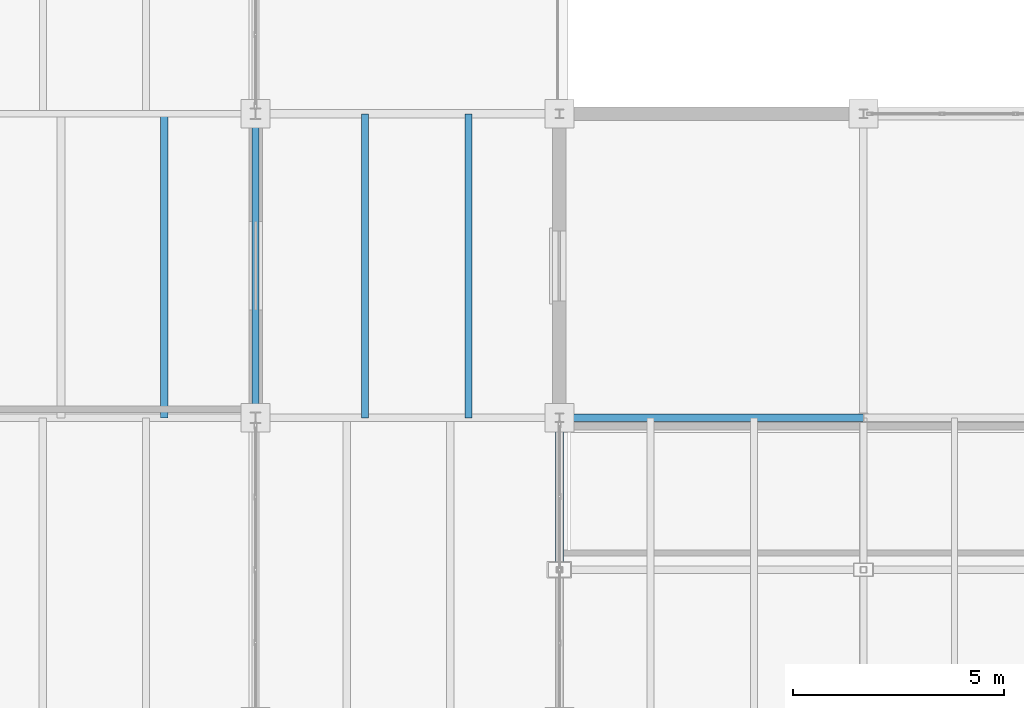
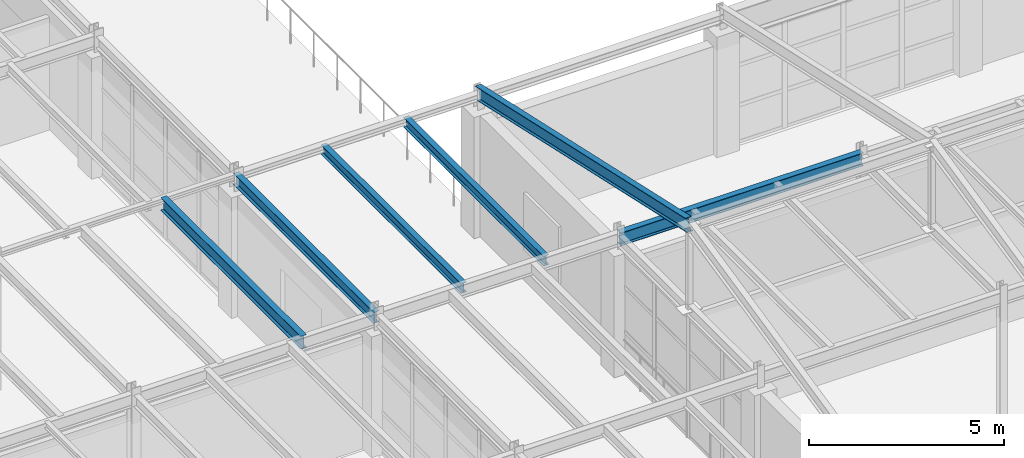
# One storey, part 33 of 101: 6 beams.
"""IFC4 building model written with IfcOpenShell, lengths in metres."""

import ifcopenshell
import ifcopenshell.guid

model = None  # the IFC model being written
_history = None  # IfcOwnerHistory: only IFC2X3 demands one
_inside = {}  # id of a spatial element -> (the spatial element, [elements in it])
_under = {}  # id of a project, library or spatial element -> (it, [spatial elements below it])
_declared = {}  # id of a project -> (the project, [libraries it declares])
_typed = {}  # id of a type object -> (the type object, [elements of that type])
_made_of = {}  # id of a material, layer set ... -> (it, [elements and type objects made of it])


def new_model(schema):
    """Start an empty IFC model of exactly this schema.

    Asked for "IFC4X3", IfcOpenShell would pick the latest addendum, in which some entities
    have other attributes; the version numbers below select the first issue.
    IFC2X3 requires an IfcOwnerHistory on every rooted entity: one is made here for all.
    """
    global model, _history
    if schema == "IFC4X3":
        model = ifcopenshell.file(schema_version=(4, 3, 0, 0))
    else:
        model = ifcopenshell.file(schema=schema)
    _inside.clear()
    _under.clear()
    _declared.clear()
    _typed.clear()
    _made_of.clear()
    _history = None
    if model.schema == "IFC2X3":
        org = make("IfcOrganization", Name="unknown")
        user = make(
            "IfcPersonAndOrganization",
            ThePerson=make("IfcPerson", FamilyName="unknown"),
            TheOrganization=org,
        )
        app = make(
            "IfcApplication",
            ApplicationDeveloper=org,
            Version="unknown",
            ApplicationFullName="unknown",
            ApplicationIdentifier="unknown",
        )
        _history = make(
            "IfcOwnerHistory",
            OwningUser=user,
            OwningApplication=app,
            ChangeAction="ADDED",
            CreationDate=0,
        )
    return model


def make(cls, **values):
    """One entity of the class cls with the attributes given. An attribute that is None is left unset."""
    return model.create_entity(
        cls, **{name: value for name, value in values.items() if value is not None}
    )


def rooted(cls, **values):
    """An entity with a GlobalId (a new one), such as an element, a storey or a relation."""
    return make(cls, GlobalId=ifcopenshell.guid.new(), OwnerHistory=_history, **values)


def si_unit(unit_type, name, prefix=None):
    """IfcSIUnit, for example si_unit("LENGTHUNIT", "METRE", prefix="MILLI")."""
    return make("IfcSIUnit", UnitType=unit_type, Prefix=prefix, Name=name)


def assignment(units):
    """IfcUnitAssignment: the units of a project."""
    return None if units is None else make("IfcUnitAssignment", Units=units)


def point(xyz):
    """IfcCartesianPoint."""
    return None if xyz is None else make("IfcCartesianPoint", Coordinates=xyz)


def direction(xyz):
    """IfcDirection."""
    return None if xyz is None else make("IfcDirection", DirectionRatios=xyz)


def frame(location, z_axis=None, x_axis=None):
    """IfcAxis2Placement3D, a coordinate frame: its origin and axes. An axis left out is left unset."""
    return make(
        "IfcAxis2Placement3D",
        Location=point(location),
        Axis=direction(z_axis),
        RefDirection=direction(x_axis),
    )


def frame_2d(location, x_axis=None):
    """IfcAxis2Placement2D, a coordinate frame in the plane: its origin and x axis."""
    return make(
        "IfcAxis2Placement2D", Location=point(location), RefDirection=direction(x_axis)
    )


def origin():
    """The frame at (0, 0, 0) with its axes left unset."""
    return frame((0.0, 0.0, 0.0))


def origin_2d():
    """The frame at (0, 0) in the plane with its x axis left unset."""
    return frame_2d((0.0, 0.0))


def place(relative_to, where):
    """IfcLocalPlacement: puts the frame where relative to a parent placement (None: the world)."""
    return make(
        "IfcLocalPlacement", PlacementRelTo=relative_to, RelativePlacement=where
    )


def context(
    kind, dimensions, precision=None, world=None, true_north=None, identifier=None
):
    """IfcGeometricRepresentationContext, for example the 3D "Model" context."""
    return make(
        "IfcGeometricRepresentationContext",
        ContextIdentifier=identifier,
        ContextType=kind,
        CoordinateSpaceDimension=dimensions,
        Precision=precision,
        WorldCoordinateSystem=world,
        TrueNorth=true_north,
    )


def subcontext(parent, identifier, kind, view, scale=None):
    """IfcGeometricRepresentationSubContext, for example "Body" below "Model"."""
    return make(
        "IfcGeometricRepresentationSubContext",
        ContextIdentifier=identifier,
        ContextType=kind,
        ParentContext=parent,
        TargetScale=scale,
        TargetView=view,
    )


def project(units=None, contexts=None):
    """IfcProject with its units and contexts."""
    return rooted(
        "IfcProject",
        Name="project",
        RepresentationContexts=contexts,
        UnitsInContext=assignment(units),
    )


def spatial(cls, under=None, at=None, **own):
    """A site, building, storey or space (cls), placed at a placement, below another one or the project."""
    s = rooted(cls, ObjectPlacement=at, **own)
    if under is not None:
        _under.setdefault(under.id(), (under, []))[1].append(s)
    return s


def profile(cls, at=None, kind="AREA", **sizes):
    """A parametric profile (cls). Its sizes go by their IFC names, for example OverallWidth=200.0."""
    return make(cls, ProfileType=kind, Position=at, **sizes)


def i_section(**sizes):
    """IfcIShapeProfileDef."""
    return profile("IfcIShapeProfileDef", **sizes)


def extrude(swept, where, along, depth):
    """IfcExtrudedAreaSolid: the profile swept, set in the frame where, extruded along a direction by depth."""
    return make(
        "IfcExtrudedAreaSolid",
        SweptArea=swept,
        Position=where,
        ExtrudedDirection=direction(along),
        Depth=depth,
    )


def shape(context_of_items, identifier, shape_type, items):
    """IfcShapeRepresentation: the items that make up one representation, for example the "Body"."""
    return make(
        "IfcShapeRepresentation",
        ContextOfItems=context_of_items,
        RepresentationIdentifier=identifier,
        RepresentationType=shape_type,
        Items=items,
    )


def material(Name=None, Category=None):
    """IfcMaterial."""
    return make("IfcMaterial", Name=Name, Category=Category)


def material_profile(
    of_material, cross_section, Name=None, Category=None, Priority=None
):
    """IfcMaterialProfile: a cross section and its material."""
    return make(
        "IfcMaterialProfile",
        Name=Name,
        Material=of_material,
        Profile=cross_section,
        Priority=Priority,
        Category=Category,
    )


def profile_set(profiles, Name=None, composite=None):
    """IfcMaterialProfileSet."""
    return make(
        "IfcMaterialProfileSet",
        Name=Name,
        MaterialProfiles=profiles,
        CompositeProfile=composite,
    )


def made_of(thing, what):
    """Note that an element or type object is made of a material, layer set ...; save() writes the relation."""
    if what is not None:
        _made_of.setdefault(what.id(), (what, []))[1].append(thing)
    return thing


def type_object(cls, material=None, **own):
    """A type object (cls), such as IfcWallType, which elements share."""
    return made_of(rooted(cls, **own), material)


def element(
    cls,
    number,
    at=None,
    inside=None,
    cuts=None,
    type_object=None,
    material=None,
    context=None,
    identifier="Body",
    shape_type=None,
    held_by="IfcProductDefinitionShape",
    body=None,
    shapes=None,
    **own,
):
    """One element of the class cls, such as IfcWall. Its Tag is "e" and its number.

    at: its placement. inside: the storey or other place that contains it. cuts: it is an
    opening in that element (IfcRelVoidsElement). A single representation is given by context,
    identifier, shape_type and body (its items); several are given by shapes. held_by: the class
    of the entity that holds the representations. save() writes the other relations.
    """
    e = rooted(cls, Tag="e%d" % number, ObjectPlacement=at, **own)
    if body is not None:
        shapes = [shape(context, identifier, shape_type, body)]
    if shapes is not None:
        e.Representation = make(held_by, Representations=shapes)
    if inside is not None:
        _inside.setdefault(inside.id(), (inside, []))[1].append(e)
    if cuts is not None:
        rooted(
            "IfcRelVoidsElement", RelatingBuildingElement=cuts, RelatedOpeningElement=e
        )
    if type_object is not None:
        _typed.setdefault(type_object.id(), (type_object, []))[1].append(e)
    return made_of(e, material)


def aggregate(whole, parts):
    """IfcRelAggregates: a whole, such as a stair, and the parts it consists of."""
    return rooted("IfcRelAggregates", RelatingObject=whole, RelatedObjects=parts)


def save(model, path):
    """Write the relations noted so far, then the file.

    IfcRelAggregates (storeys below a building ...), IfcRelContainedInSpatialStructure (elements
    in a storey), IfcRelDefinesByType, IfcRelAssociatesMaterial and IfcRelDeclares: one each for
    every whole, place, type object, material and project.
    """
    for whole, parts in _under.values():
        aggregate(whole, parts)
    for where, things in _inside.values():
        rooted(
            "IfcRelContainedInSpatialStructure",
            RelatedElements=things,
            RelatingStructure=where,
        )
    for kind, things in _typed.values():
        rooted("IfcRelDefinesByType", RelatedObjects=things, RelatingType=kind)
    for what, things in _made_of.values():
        rooted("IfcRelAssociatesMaterial", RelatedObjects=things, RelatingMaterial=what)
    for by, libraries in _declared.values():
        rooted("IfcRelDeclares", RelatingContext=by, RelatedDefinitions=libraries)
    model.write(path)


model = new_model("IFC4")

# Units and contexts
model_context = context("Model", 3, precision=1e-05, world=origin(), true_north=direction((0.0, 1.0)))
body_context = subcontext(model_context, "Body", "Model", "MODEL_VIEW")
ifc_project = project(units=[si_unit("LENGTHUNIT", "METRE"), si_unit("AREAUNIT", "SQUARE_METRE"), si_unit("VOLUMEUNIT", "CUBIC_METRE"), si_unit("PLANEANGLEUNIT", "RADIAN"), si_unit("MASSUNIT", "GRAM", prefix="KILO")], contexts=[model_context])

# Site, building, storey
site_placement = place(None, origin())
site = spatial("IfcSite", under=ifc_project, at=site_placement, CompositionType="ELEMENT")
building_placement = place(site_placement, origin())
building = spatial("IfcBuilding", under=site, at=building_placement, Name="Kemerveld Promenade Tramway Depot", CompositionType="ELEMENT")
storey_placement = place(building_placement, frame((0.0, 0.0, 9.89990234375)))
storey = spatial("IfcBuildingStorey", under=building, at=storey_placement, Name="L02", CompositionType="ELEMENT", Elevation=9.89990234375)

# Beams
ifc_material = material(Name="Steel S355", Category="steel")
ifc_material_profile_1 = material_profile(ifc_material, i_section(OverallWidth=0.1787109375, OverallDepth=0.409423828125, WebThickness=0.0087890625, FlangeThickness=0.014404296875, FilletRadius=0.01025390625, at=origin_2d()), Name="406x178x67 UB")
ifc_profile_set_1 = profile_set([ifc_material_profile_1], Name="Steel S355")
beam_type_1 = type_object("IfcBeamType", Name="BM-G07", PredefinedType="BEAM", material=ifc_profile_set_1)
beam_1_placement = place(storey_placement, frame((57.60009765625, 21.60009765625, 4.0703125), z_axis=(1.0, 0.0, 0.0), x_axis=(0.0, 1.0, 0.0)))
element("IfcBeam", 1, at=beam_1_placement, inside=storey, type_object=beam_type_1, Name="BMX-L02-09-10-D", PredefinedType="BEAM", context=body_context, shape_type="SweptSolid", body=[
    extrude(i_section(OverallWidth=0.1787109375, OverallDepth=0.409423828125, WebThickness=0.0087890625, FlangeThickness=0.014404296875, FilletRadius=0.01025390625, at=origin_2d()), origin(), (0.0, 0.0, 1.0), 7.199951171875),
])
beam_2_placement = place(storey_placement, frame((57.60009765625, 18.0, 6.67529296875), z_axis=(0.0, 0.976189137057, -0.216921111677), x_axis=(-1.0, 0.0, 0.0)))
element("IfcBeam", 2, at=beam_2_placement, inside=storey, type_object=beam_type_1, Name="RAF-V4-09-N", PredefinedType="BEAM", context=body_context, shape_type="SweptSolid", body=[
    extrude(i_section(OverallWidth=0.1787109375, OverallDepth=0.409423828125, WebThickness=0.0087890625, FlangeThickness=0.014404296875, FilletRadius=0.01025390625, at=origin_2d()), origin(), (0.0, 0.0, 1.0), 11.0634765625),
])
ifc_material_profile_2 = material_profile(ifc_material, i_section(OverallWidth=0.172119140625, OverallDepth=0.35791015625, WebThickness=0.008056640625, FlangeThickness=0.012939453125, FilletRadius=0.01025390625, at=origin_2d()), Name="356x171x57 UB")
ifc_profile_set_2 = profile_set([ifc_material_profile_2], Name="Steel S355")
beam_type_2 = type_object("IfcBeamType", Name="BM-G08", PredefinedType="BEAM", material=ifc_profile_set_2)
beam_3_placement = place(storey_placement, frame((50.39990234375, 21.60009765625, 4.106201171875), z_axis=(0.0, 1.0, 0.0), x_axis=(-1.0, 0.0, 0.0)))
element("IfcBeam", 3, at=beam_3_placement, inside=storey, type_object=beam_type_2, Name="BMY-L02-08-D-E", PredefinedType="BEAM", context=body_context, shape_type="SweptSolid", body=[
    extrude(i_section(OverallWidth=0.172119140625, OverallDepth=0.35791015625, WebThickness=0.008056640625, FlangeThickness=0.012939453125, FilletRadius=0.01025390625, at=origin_2d()), origin(), (0.0, 0.0, 1.0), 7.199951171875),
])
ifc_material_profile_3 = material_profile(ifc_material, i_section(OverallWidth=0.165771484375, OverallDepth=0.306640625, WebThickness=0.006591796875, FlangeThickness=0.01171875, FilletRadius=0.0087890625, at=origin_2d()), Name="305x165x46 UB")
ifc_profile_set_3 = profile_set([ifc_material_profile_3], Name="Steel S355")
beam_type_3 = type_object("IfcBeamType", Name="BM-J01", PredefinedType="JOIST", material=ifc_profile_set_3)
for number, where, z_axis, x_axis, name in (
    (4, (52.991943359375, 21.60009765625, 4.121826171875), (0.0, 1.0, 0.0), (-1.0, 0.0, 0.0), "JST-L02-08-D-1"),
    (5, (55.43994140625, 21.60009765625, 4.121826171875), (0.0, 1.0, 0.0), (-1.0, 0.0, 0.0), "JST-L02-08-D-2"),
):
    element("IfcBeam", number, at=place(storey_placement, frame(where, z_axis=z_axis, x_axis=x_axis)), inside=storey, type_object=beam_type_3, Name=name, PredefinedType="JOIST", context=body_context, shape_type="SweptSolid", body=[
        extrude(i_section(OverallWidth=0.165771484375, OverallDepth=0.306640625, WebThickness=0.006591796875, FlangeThickness=0.01171875, FilletRadius=0.0087890625, at=origin_2d()), origin(), (0.0, 0.0, 1.0), 7.199951171875),
    ])
ifc_material_profile_4 = material_profile(ifc_material, i_section(OverallWidth=0.1787109375, OverallDepth=0.409423828125, WebThickness=0.0087890625, FlangeThickness=0.014404296875, FilletRadius=0.01025390625, at=origin_2d()), Name="406x178x67 UB")
ifc_profile_set_4 = profile_set([ifc_material_profile_4], Name="Steel S355")
beam_type_4 = type_object("IfcBeamType", Name="BM-J05", PredefinedType="JOIST", material=ifc_profile_set_4)
beam_4_placement = place(storey_placement, frame((48.239990234375, 21.60009765625, 4.080322265625), z_axis=(0.0, 1.0, 0.0), x_axis=(-1.0, 0.0, 0.0)))
element("IfcBeam", 6, at=beam_4_placement, inside=storey, type_object=beam_type_4, Name="JST-L02-07-D-2", PredefinedType="JOIST", context=body_context, shape_type="SweptSolid", body=[
    extrude(i_section(OverallWidth=0.1787109375, OverallDepth=0.409423828125, WebThickness=0.0087890625, FlangeThickness=0.014404296875, FilletRadius=0.01025390625, at=origin_2d()), origin(), (0.0, 0.0, 1.0), 7.199951171875),
])

save(model, "model.ifc")
